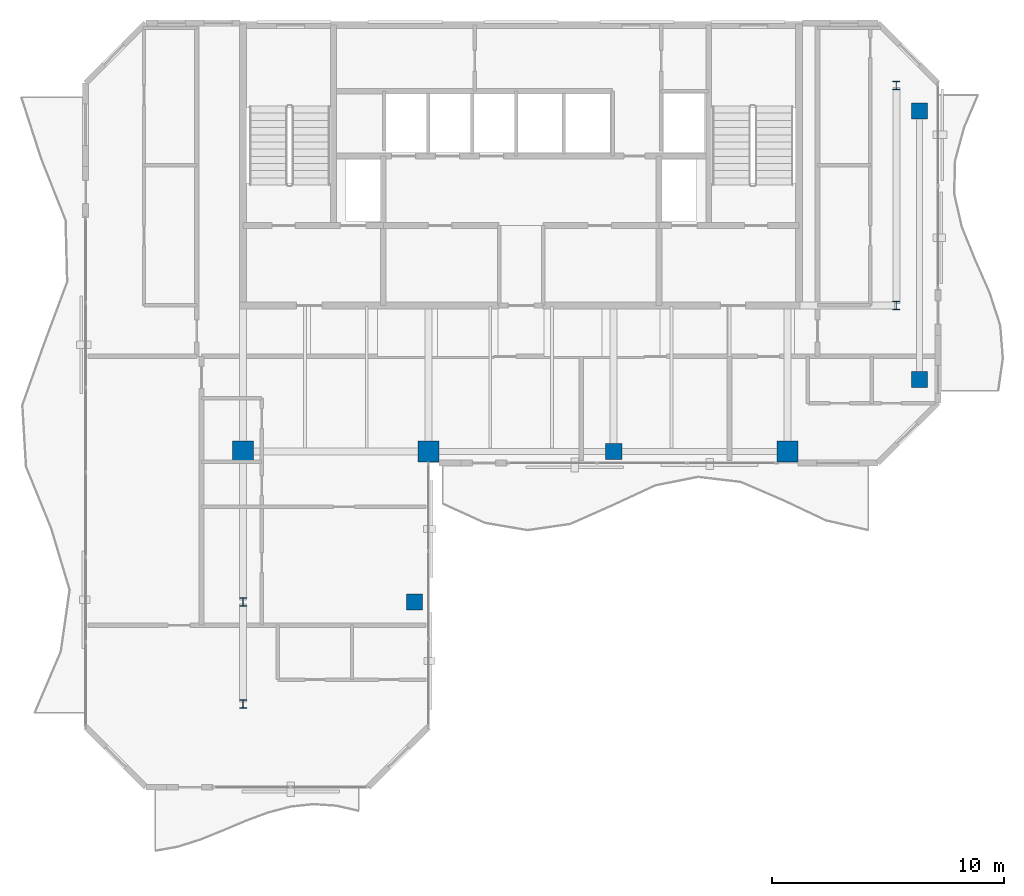
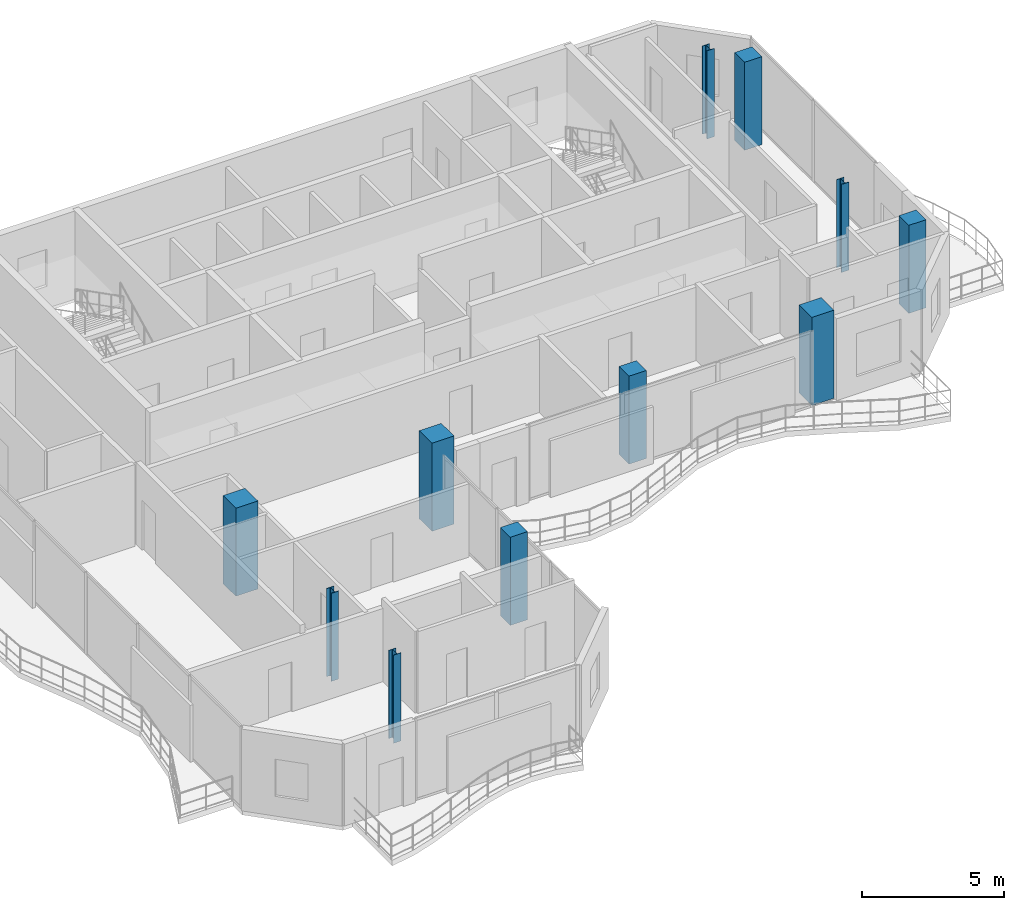
# One storey, part 1 of 16: 11 columns.
"""IFC4 building model written with IfcOpenShell, lengths in metres."""

from ifc_helpers import new_model, si_unit, direction, frame, origin, origin_2d, place, context, subcontext, project, spatial, rectangle, i_section, extrude, material, material_profile, profile_set, type_object, element, save


model = new_model("IFC4")

# Units and contexts
model_context = context("Model", 3, precision=1e-05, world=origin(), true_north=direction((0.0, 1.0)))
body_context = subcontext(model_context, "Body", "Model", "MODEL_VIEW")
ifc_project = project(units=[si_unit("LENGTHUNIT", "METRE"), si_unit("AREAUNIT", "SQUARE_METRE"), si_unit("VOLUMEUNIT", "CUBIC_METRE"), si_unit("PLANEANGLEUNIT", "RADIAN"), si_unit("MASSUNIT", "GRAM", prefix="KILO")], contexts=[model_context])

# Site, building, storey
site_placement = place(None, origin())
site = spatial("IfcSite", under=ifc_project, at=site_placement, CompositionType="ELEMENT")
building_placement = place(site_placement, origin())
building = spatial("IfcBuilding", under=site, at=building_placement, Name="Catumbela Crestline Tower", CompositionType="ELEMENT")
storey_placement = place(building_placement, frame((0.0, 0.0, 275.4)))
storey = spatial("IfcBuildingStorey", under=building, at=storey_placement, Name="L71", CompositionType="ELEMENT", Elevation=275.4)

# Columns
ifc_material_1 = material(Name="Concrete C45/55", Category="concrete")
ifc_material_profile_1 = material_profile(ifc_material_1, rectangle(XDim=0.7, YDim=0.7, at=origin_2d()), Name="RC 700x700")
ifc_profile_set_1 = profile_set([ifc_material_profile_1], Name="Concrete C45/55")
column_type_1 = type_object("IfcColumnType", Name="C-RC700-C45", PredefinedType="COLUMN", material=ifc_profile_set_1)
for number, where, z_axis, x_axis, name in (
    (1, (32.0, 24.5, 0.0), (0.0, 0.0, 1.0), (1.0, 0.0, 0.0), "L71 Column C-32-24 (RC 700x700)"),
    (2, (45.2, 27.6, 0.0), (0.0, 0.0, 1.0), (1.0, 0.0, 0.0), "L71 Column C-46-24 (RC 700x700)"),
    (3, (45.2, 39.2, 0.0), (0.0, 0.0, 1.0), (1.0, 0.0, 0.0), "L71 Column C-46-43 (RC 700x700)"),
    (4, (23.4, 18.0, 0.0), (0.0, 0.0, 1.0), (1.0, 0.0, 0.0), "L71 Column C-24-16 (RC 700x700)"),
):
    element("IfcColumn", number, at=place(storey_placement, frame(where, z_axis=z_axis, x_axis=x_axis)), inside=storey, type_object=column_type_1, Name=name, PredefinedType="COLUMN", context=body_context, shape_type="SweptSolid", body=[
        extrude(rectangle(XDim=0.7, YDim=0.7, at=origin_2d()), origin(), (0.0, 0.0, 1.0), 3.8),
    ])
ifc_material_profile_2 = material_profile(ifc_material_1, rectangle(XDim=0.9, YDim=0.9, at=origin_2d()), Name="RC 900x900")
ifc_profile_set_2 = profile_set([ifc_material_profile_2], Name="Concrete C45/55")
column_type_2 = type_object("IfcColumnType", Name="C-RC900-C45", PredefinedType="COLUMN", material=ifc_profile_set_2)
for number, where, z_axis, x_axis, name in (
    (5, (16.0, 24.5, 0.0), (0.0, 0.0, 1.0), (1.0, 0.0, 0.0), "L71 Column C-16-24 (RC 900x900)"),
    (6, (24.0, 24.5, 0.0), (0.0, 0.0, 1.0), (1.0, 0.0, 0.0), "L71 Column C-24-24 (RC 900x900)"),
    (7, (39.5, 24.5, 0.0), (0.0, 0.0, 1.0), (1.0, 0.0, 0.0), "L71 Column C-40-24 (RC 900x900)"),
):
    element("IfcColumn", number, at=place(storey_placement, frame(where, z_axis=z_axis, x_axis=x_axis)), inside=storey, type_object=column_type_2, Name=name, PredefinedType="COLUMN", context=body_context, shape_type="SweptSolid", body=[
        extrude(rectangle(XDim=0.9, YDim=0.9, at=origin_2d()), origin(), (0.0, 0.0, 1.0), 3.8),
    ])
ifc_material_2 = material(Name="Structural steel S355J2", Category="steel")
ifc_material_profile_3 = material_profile(ifc_material_2, i_section(OverallWidth=0.3, OverallDepth=0.36, WebThickness=0.0125, FlangeThickness=0.0225, FilletRadius=0.027, at=origin_2d()), Name="HEB 360")
ifc_profile_set_3 = profile_set([ifc_material_profile_3], Name="Structural steel S355J2")
column_type_3 = type_object("IfcColumnType", Name="C-ST-HEB360", PredefinedType="COLUMN", material=ifc_profile_set_3)
for number, where, z_axis, x_axis, name in (
    (8, (16.0, 13.6, 0.0), (0.0, 0.0, 1.0), (1.0, 0.0, 0.0), "L71 Column CT-14-10 (HEB 360)"),
    (9, (16.0, 18.0, 0.0), (0.0, 0.0, 1.0), (1.0, 0.0, 0.0), "L71 Column CT-14-16 (HEB 360)"),
    (10, (44.2, 30.8, 0.0), (0.0, 0.0, 1.0), (1.0, 0.0, 0.0), "L71 Column CT-46-31 (HEB 360)"),
    (11, (44.2, 40.3, 0.0), (0.0, 0.0, 1.0), (1.0, 0.0, 0.0), "L71 Column CT-46-37 (HEB 360)"),
):
    element("IfcColumn", number, at=place(storey_placement, frame(where, z_axis=z_axis, x_axis=x_axis)), inside=storey, type_object=column_type_3, Name=name, PredefinedType="COLUMN", context=body_context, shape_type="SweptSolid", body=[
        extrude(i_section(OverallWidth=0.3, OverallDepth=0.36, WebThickness=0.0125, FlangeThickness=0.0225, FilletRadius=0.027, at=origin_2d()), origin(), (0.0, 0.0, 1.0), 3.8),
    ])

save(model, "model.ifc")
